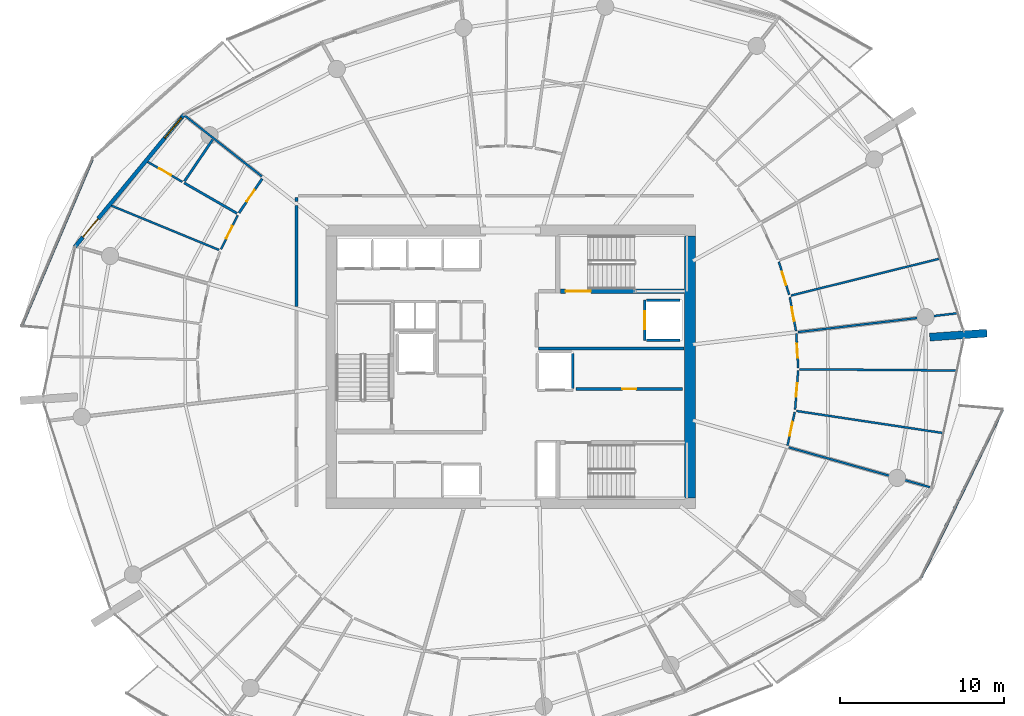
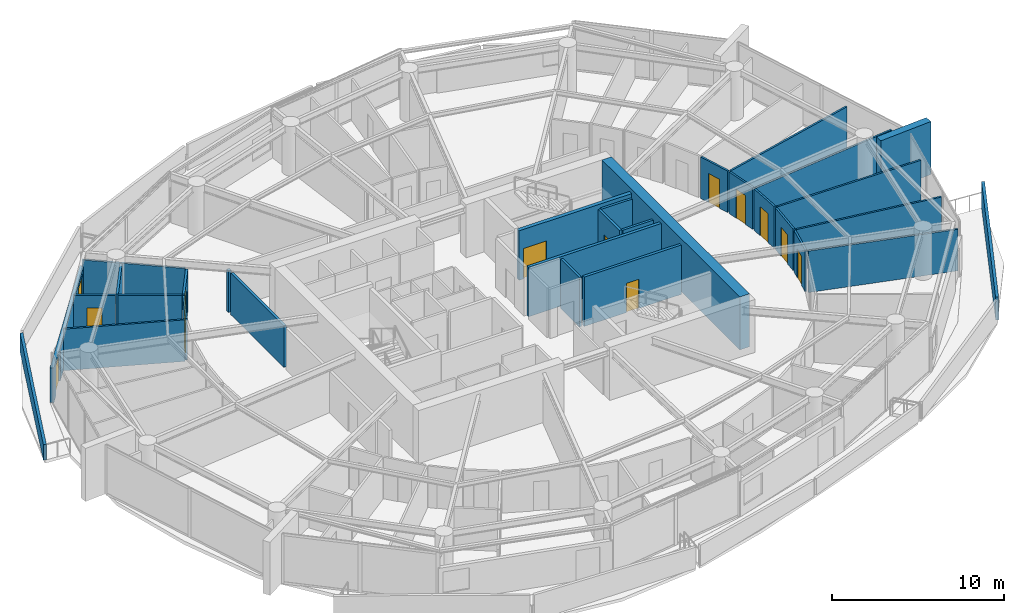
# One storey, part 14 of 21: 31 walls, 12 doors, 1 window, 13 openings.
"""IFC4 building model written with IfcOpenShell, lengths in metres."""

from ifc_helpers import new_model, si_unit, direction, frame, frame_2d, origin, place, context, subcontext, project, spatial, polyline, rectangle, outline, extrude, material, layer, layer_set, type_object, element, fill, save


model = new_model("IFC4")

# Units and contexts
model_context = context("Model", 3, precision=1e-05, world=origin(), true_north=direction((0.0, 1.0)))
body_context = subcontext(model_context, "Body", "Model", "MODEL_VIEW")
ifc_project = project(units=[si_unit("LENGTHUNIT", "METRE"), si_unit("AREAUNIT", "SQUARE_METRE"), si_unit("VOLUMEUNIT", "CUBIC_METRE"), si_unit("PLANEANGLEUNIT", "RADIAN"), si_unit("MASSUNIT", "GRAM", prefix="KILO")], contexts=[model_context])

# Site, building, storey
site_placement = place(None, origin())
site = spatial("IfcSite", under=ifc_project, at=site_placement, CompositionType="ELEMENT")
building_placement = place(site_placement, origin())
building = spatial("IfcBuilding", under=site, at=building_placement, Name="Kazma Halo Residences", CompositionType="ELEMENT")
storey_placement = place(building_placement, frame((0.0, 0.0, 180.300048828125)))
storey = spatial("IfcBuildingStorey", under=building, at=storey_placement, Name="L45", CompositionType="ELEMENT", Elevation=180.300048828125)

# Walls
ifc_material_1 = material(Name="White Concrete C50/60 Balustrade", Category="concrete")
ifc_layer_1 = layer(ifc_material_1, 0.179931640625)
ifc_layer_set_1 = layer_set([ifc_layer_1], Name="White Concrete C50/60 Balustrade")
wall_type_1 = type_object("IfcWallType", Name="WL-BAL-WAVE-180", PredefinedType="PARAPET", material=ifc_layer_set_1)
wall_1_placement = place(storey_placement, frame((22.879150390625, 54.665283203125, 0.0), z_axis=(0.0, 0.0, 1.0), x_axis=(-0.390001304333, -0.920814304091, 0.0)))
element("IfcWall", 1, at=wall_1_placement, inside=storey, type_object=wall_type_1, Name="L45 white wave balustrade wall NW.2", PredefinedType="PARAPET", context=body_context, shape_type="SweptSolid", body=[
    extrude(outline(polyline([(0.0, 0.0), (11.042724609375, 0.0), (11.04296875, 1.119873046875), (5.521484375, 1.181884765625), (0.0, 1.347900390625), (0.0, 0.0)])), frame((0.0, 0.08984375, 0.0), z_axis=(0.0, -1.0, 0.0), x_axis=(1.0, 0.0, 0.0)), (0.0, 0.0, 1.0), 0.179931640625),
])
wall_2_placement = place(storey_placement, frame((73.481201171875, 29.151611328125, 0.0), z_axis=(0.0, 0.0, 1.0), x_axis=(0.436714484075, 0.899600166407, 0.0)))
element("IfcWall", 2, at=wall_2_placement, inside=storey, type_object=wall_type_1, Name="L45 white wave balustrade wall SE.2", PredefinedType="PARAPET", context=body_context, shape_type="SweptSolid", body=[
    extrude(outline(polyline([(0.0, 0.0), (11.408935546875, 0.0), (11.4091796875, 1.85986328125), (5.70458984375, 1.7978515625), (0.0, 1.6318359375), (0.0, 0.0)])), frame((0.0, 0.08984375, 0.0), z_axis=(0.0, -1.0, 0.0), x_axis=(1.0, 0.0, 0.0)), (0.0, 0.0, 1.0), 0.179931640625),
])
ifc_material_2 = material(Name="Pale Concrete C60/75", Category="concrete")
ifc_layer_2 = layer(ifc_material_2, 0.47998046875)
ifc_layer_set_2 = layer_set([ifc_layer_2], Name="Pale Concrete C60/75")
wall_type_2 = type_object("IfcWallType", Name="WL-BLADE-480", PredefinedType="SOLIDWALL", material=ifc_layer_set_2)
wall_3_placement = place(storey_placement, frame((74.0126953125, 43.819091796875, 0.0), z_axis=(0.0, 0.0, 1.0), x_axis=(0.997568676264, 0.069690287244, 0.0)))
element("IfcWall", 3, at=wall_3_placement, inside=storey, type_object=wall_type_2, Name="L45 pale concrete structural blade fin wall BW-04", PredefinedType="SOLIDWALL", context=body_context, shape_type="SweptSolid", body=[
    extrude(rectangle(XDim=3.499755859375, YDim=0.47998046875, at=frame_2d((1.75, 0.0))), origin(), (0.0, 0.0, 1.0), 3.75),
])
ifc_material_3 = material(Name="Concrete C60/75", Category="concrete")
ifc_layer_3 = layer(ifc_material_3, 0.64990234375)
ifc_layer_set_3 = layer_set([ifc_layer_3], Name="Concrete C60/75")
wall_type_3 = type_object("IfcWallType", Name="WL-CORE-650", PredefinedType="SHEAR", material=ifc_layer_set_3)
wall_4_placement = place(storey_placement, frame((59.375, 34.0, 0.0), z_axis=(0.0, 0.0, 1.0), x_axis=(0.0, 1.0, 0.0)))
element("IfcWall", 4, at=wall_4_placement, inside=storey, type_object=wall_type_3, Name="L45 central core shear wall E", PredefinedType="SHEAR", context=body_context, shape_type="SweptSolid", body=[
    extrude(rectangle(XDim=16.0, YDim=0.64990234375, at=frame_2d((8.0, 0.0))), origin(), (0.0, 0.0, 1.0), 3.75),
])
ifc_material_4 = material(Name="Acoustic Twin-Stud Gypsum")
ifc_layer_4 = layer(ifc_material_4, 0.179931640625)
ifc_layer_set_4 = layer_set([ifc_layer_4], Name="Acoustic Twin-Stud Gypsum")
wall_type_4 = type_object("IfcWallType", Name="WL-DEM-180", PredefinedType="PARTITIONING", material=ifc_layer_set_4)
wall_5_placement = place(storey_placement, frame((35.35009765625, 52.330078125, 0.0), z_axis=(0.0, 0.0, 1.0), x_axis=(0.0, -1.0, 0.0)))
element("IfcWall", 5, at=wall_5_placement, inside=storey, type_object=wall_type_4, Name="L45 Apartment 2 entrance corridor wall", PredefinedType="PARTITIONING", context=body_context, shape_type="SweptSolid", body=[
    extrude(rectangle(XDim=0.237548828125, YDim=0.179931640625, at=frame_2d((0.11865234375, 0.0))), origin(), (0.0, 0.0, 1.0), 2.93994140625),
])
wall_6_placement = place(storey_placement, frame((35.35009765625, 51.8525390625, 0.0), z_axis=(0.0, 0.0, 1.0), x_axis=(0.0, -1.0, 0.0)))
element("IfcWall", 6, at=wall_6_placement, inside=storey, type_object=wall_type_4, Name="L45 Apartment 2 inner wall 5", PredefinedType="PARTITIONING", context=body_context, shape_type="SweptSolid", body=[
    extrude(rectangle(XDim=6.164794921875, YDim=0.179931640625, at=frame_2d((3.08251953125, 0.0))), origin(), (0.0, 0.0, 1.0), 2.93994140625),
])

# Wall, openings, door, window
ifc_material_5 = material(Name="Insulated Pale-Metal Composite Wall")
ifc_layer_5 = layer(ifc_material_5, 0.239990234375)
ifc_layer_set_5 = layer_set([ifc_layer_5], Name="Insulated Pale-Metal Composite Wall")
wall_type_5 = type_object("IfcWallType", Name="WL-EXT-HOST-240", PredefinedType="SOLIDWALL", material=ifc_layer_set_5)
wall_7_placement = place(storey_placement, frame((28.514892578125, 57.42431640625, 0.0), z_axis=(0.0, 0.0, 1.0), x_axis=(-0.636759394418, -0.771062561418, 0.0)))
wall_7 = element("IfcWall", 7, at=wall_7_placement, inside=storey, type_object=wall_type_5, Name="L45 exterior terrace-access wall B06", PredefinedType="SOLIDWALL", context=body_context, shape_type="SweptSolid", body=[
    extrude(rectangle(XDim=10.494384765625, YDim=0.239990234375, at=frame_2d((5.2470703125, 0.0))), origin(), (0.0, 0.0, 1.0), 2.449951171875),
])
opening_1_placement = place(wall_7_placement, frame((8.2744140625, 0.0, 0.0)))
opening_1 = element("IfcOpeningElement", 8, at=opening_1_placement, cuts=wall_7, Name="Opening DTR-1600", PredefinedType="OPENING", context=body_context, shape_type="SweptSolid", body=[
    extrude(rectangle(XDim=1.449951171875, YDim=2.14990234375, at=frame_2d((0.72509765625, 1.074951171875))), frame((0.0, 0.1298828125, 0.0), z_axis=(0.0, -1.0, 0.0), x_axis=(1.0, 0.0, 0.0)), (0.0, 0.0, 1.0), 0.260009765625),
])
opening_2_placement = place(wall_7_placement, frame((0.280029296875, 0.0, 0.64990234375)))
opening_2 = element("IfcOpeningElement", 9, at=opening_2_placement, cuts=wall_7, Name="Opening W-1800", PredefinedType="OPENING", context=body_context, shape_type="SweptSolid", body=[
    extrude(rectangle(XDim=1.60009765625, YDim=1.5, at=frame_2d((0.800048828125, 0.75))), frame((0.0, 0.1298828125, 0.0), z_axis=(0.0, -1.0, 0.0), x_axis=(1.0, 0.0, 0.0)), (0.0, 0.0, 1.0), 0.260009765625),
])
ifc_material_6 = material(Name="Aluminium AW-6063 T6 Double-Glazed Terrace Door", Category="aluminium")
door_type_1 = type_object("IfcDoorType", Name="DR-EXT-TERR-1600", OperationType="NOTDEFINED", PredefinedType="DOOR", material=ifc_material_6)
door_1_placement = place(opening_1_placement, origin())
door_1 = element("IfcDoor", 10, at=door_1_placement, inside=storey, type_object=door_type_1, Name="L45 B06 balcony terrace door", OperationType="DOUBLE_DOOR_SLIDING", OverallHeight=2.14990234375, OverallWidth=1.449951171875, PredefinedType="DOOR", context=body_context, shape_type="SweptSolid", body=[
    extrude(rectangle(XDim=1.449951171875, YDim=2.14990234375, at=frame_2d((0.72509765625, 1.074951171875))), frame((0.0, 0.02490234375, 0.0), z_axis=(0.0, -1.0, 0.0), x_axis=(1.0, 0.0, 0.0)), (0.0, 0.0, 1.0), 0.050048828125),
])
fill(opening_1, door_1)
ifc_material_7 = material(Name="Clear Triple-Silver Low-E Glass in Aluminium AW-6063 T6 Frame", Category="aluminium")
window_type = type_object("IfcWindowType", Name="WIN-RES-1800", PartitioningType="DOUBLE_PANEL_VERTICAL", PredefinedType="WINDOW", material=ifc_material_7)
window_placement = place(opening_2_placement, origin())
window = element("IfcWindow", 11, at=window_placement, inside=storey, type_object=window_type, Name="L45 B06 apartment window", OverallHeight=1.5, OverallWidth=1.60009765625, PartitioningType="SINGLE_PANEL", PredefinedType="WINDOW", context=body_context, shape_type="SweptSolid", body=[
    extrude(rectangle(XDim=1.60009765625, YDim=1.5, at=frame_2d((0.800048828125, 0.75))), frame((0.0, 0.030029296875, 0.0), z_axis=(0.0, -1.0, 0.0), x_axis=(1.0, 0.0, 0.0)), (0.0, 0.0, 1.0), 0.06005859375),
])
fill(opening_2, window)

# Wall, opening, door
ifc_material_8 = material(Name="Fire-Rated Blockwork Masonry", Category="masonry")
ifc_layer_6 = layer(ifc_material_8, 0.199951171875)
ifc_layer_set_6 = layer_set([ifc_layer_6], Name="Fire-Rated Blockwork Masonry")
wall_type_6 = type_object("IfcWallType", Name="WL-FLB-200", PredefinedType="PARTITIONING", material=ifc_layer_set_6)
wall_8_placement = place(storey_placement, frame((56.6201171875, 46.080078125, 0.0), z_axis=(0.0, 0.0, 1.0), x_axis=(0.0, -1.0, 0.0)))
wall_8 = element("IfcWall", 12, at=wall_8_placement, inside=storey, type_object=wall_type_6, Name="L45 lift shaft FL-02 front wall", PredefinedType="PARTITIONING", context=body_context, shape_type="SweptSolid", body=[
    extrude(rectangle(XDim=2.4599609375, YDim=0.159912109375, at=frame_2d((1.22998046875, 0.0))), origin(), (0.0, 0.0, 1.0), 3.5),
])
opening_3_placement = place(wall_8_placement, frame((0.679931640625, 0.0, 0.0)))
opening_3 = element("IfcOpeningElement", 13, at=opening_3_placement, cuts=wall_8, Name="Opening LD-FL-02", PredefinedType="OPENING", context=body_context, shape_type="SweptSolid", body=[
    extrude(rectangle(XDim=1.10009765625, YDim=2.10009765625, at=frame_2d((0.550048828125, 1.050048828125))), frame((0.0, 0.08984375, 0.0), z_axis=(0.0, -1.0, 0.0), x_axis=(1.0, 0.0, 0.0)), (0.0, 0.0, 1.0), 0.179931640625),
])
ifc_material_9 = material(Name="Stainless Steel Fire-Rated", Category="steel")
door_type_2 = type_object("IfcDoorType", Name="DR-LIFT-SLD-1100", OperationType="DOUBLE_DOOR_SLIDING", PredefinedType="DOOR", material=ifc_material_9)
door_2_placement = place(opening_3_placement, origin())
door_2 = element("IfcDoor", 14, at=door_2_placement, inside=storey, type_object=door_type_2, Name="L45 lift FL-02 sliding landing door", OperationType="DOUBLE_DOOR_SLIDING", OverallHeight=2.10009765625, OverallWidth=1.10009765625, PredefinedType="DOOR", context=body_context, shape_type="SweptSolid", body=[
    extrude(rectangle(XDim=1.10009765625, YDim=2.10009765625, at=frame_2d((0.550048828125, 1.050048828125))), frame((0.0, 0.02490234375, 0.0), z_axis=(0.0, -1.0, 0.0), x_axis=(1.0, 0.0, 0.0)), (0.0, 0.0, 1.0), 0.050048828125),
])
fill(opening_3, door_2)

# Walls
for number, where, z_axis, x_axis, name in (
    (15, (56.719970703125, 46.080078125, 0.0), (0.0, 0.0, 1.0), (1.0, 0.0, 0.0), "L45 lift shaft FL-02 side wall N"),
    (16, (56.719970703125, 43.6201171875, 0.0), (0.0, 0.0, 1.0), (1.0, 0.0, 0.0), "L45 lift shaft FL-02 side wall S"),
):
    element("IfcWall", number, at=place(storey_placement, frame(where, z_axis=z_axis, x_axis=x_axis)), inside=storey, type_object=wall_type_6, Name=name, PredefinedType="PARTITIONING", context=body_context, shape_type="SweptSolid", body=[
        extrude(rectangle(XDim=2.06005859375, YDim=0.159912109375, at=frame_2d((1.030029296875, 0.0))), origin(), (0.0, 0.0, 1.0), 3.5),
    ])
wall_9_placement = place(storey_placement, frame((52.22998046875, 40.669921875, 0.0), z_axis=(0.0, 0.0, 1.0), x_axis=(0.0, 1.0, 0.0)))
element("IfcWall", 17, at=wall_9_placement, inside=storey, type_object=wall_type_6, Name="L45 lift shaft SV-01 side wall E", PredefinedType="PARTITIONING", context=body_context, shape_type="SweptSolid", body=[
    extrude(rectangle(XDim=2.16015625, YDim=0.159912109375, at=frame_2d((1.080078125, 0.0))), origin(), (0.0, 0.0, 1.0), 3.5),
])

# Wall, opening, door
wall_10_placement = place(storey_placement, frame((52.419921875, 40.64990234375, 0.0), z_axis=(0.0, 0.0, 1.0), x_axis=(1.0, 0.0, 0.0)))
wall_10 = element("IfcWall", 18, at=wall_10_placement, inside=storey, type_object=wall_type_6, Name="L45 core east reserve wall", PredefinedType="PARTITIONING", context=body_context, shape_type="SweptSolid", body=[
    extrude(rectangle(XDim=6.5, YDim=0.179931640625, at=frame_2d((3.25, 0.0))), origin(), (0.0, 0.0, 1.0), 3.5),
])
opening_4_placement = place(wall_10_placement, frame((2.824951171875, 0.0, 0.0)))
opening_4 = element("IfcOpeningElement", 19, at=opening_4_placement, cuts=wall_10, Name="Opening DS-850", PredefinedType="OPENING", context=body_context, shape_type="SweptSolid", body=[
    extrude(rectangle(XDim=0.85009765625, YDim=2.06005859375, at=frame_2d((0.425048828125, 1.030029296875))), frame((0.0, 0.099853515625, 0.0), z_axis=(0.0, -1.0, 0.0), x_axis=(1.0, 0.0, 0.0)), (0.0, 0.0, 1.0), 0.199951171875),
])
ifc_material_10 = material(Name="Painted Steel Access Leaf", Category="steel")
door_type_3 = type_object("IfcDoorType", Name="DR-SVC-850", OperationType="NOTDEFINED", PredefinedType="DOOR", material=ifc_material_10)
door_3_placement = place(opening_4_placement, origin())
door_3 = element("IfcDoor", 20, at=door_3_placement, inside=storey, type_object=door_type_3, Name="L45 core east reserve door", OperationType="SINGLE_SWING_RIGHT", OverallHeight=2.06005859375, OverallWidth=0.85009765625, PredefinedType="DOOR", context=body_context, shape_type="SweptSolid", body=[
    extrude(rectangle(XDim=0.85009765625, YDim=2.06005859375, at=frame_2d((0.425048828125, 1.030029296875))), frame((0.0, 0.02490234375, 0.0), z_axis=(0.0, -1.0, 0.0), x_axis=(1.0, 0.0, 0.0)), (0.0, 0.0, 1.0), 0.050048828125),
])
fill(opening_4, door_3)

# Walls
wall_11_placement = place(storey_placement, frame((50.1201171875, 43.1201171875, 0.0), z_axis=(0.0, 0.0, 1.0), x_axis=(1.0, 0.0, 0.0)))
element("IfcWall", 21, at=wall_11_placement, inside=storey, type_object=wall_type_6, Name="L45 east firefighting lobby south smoke wall", PredefinedType="PARTITIONING", context=body_context, shape_type="SweptSolid", body=[
    extrude(rectangle(XDim=8.8798828125, YDim=0.199951171875, at=frame_2d((4.43994140625, 0.0))), origin(), (0.0, 0.0, 1.0), 3.5),
])
ifc_material_11 = material(Name="Gypsum Plasterboard Partition")
ifc_layer_7 = layer(ifc_material_11, 0.125)
ifc_layer_set_7 = layer_set([ifc_layer_7], Name="Gypsum Plasterboard Partition")
wall_type_7 = type_object("IfcWallType", Name="WL-PART-125", PredefinedType="PARTITIONING", material=ifc_layer_set_7)
wall_12_placement = place(storey_placement, frame((33.24072265625, 53.63525390625, 0.0), z_axis=(0.0, 0.0, 1.0), x_axis=(-0.785321754625, 0.619087830371, 0.0)))
element("IfcWall", 22, at=wall_12_placement, inside=storey, type_object=wall_type_7, Name="L45 Apartment 2 radial partition 5", PredefinedType="PARTITIONING", context=body_context, shape_type="SweptSolid", body=[
    extrude(rectangle(XDim=6.033203125, YDim=0.125, at=frame_2d((3.0166015625, 0.0))), origin(), (0.0, 0.0, 1.0), 2.93994140625),
])

# Wall, opening, door
wall_13_placement = place(storey_placement, frame((28.387939453125, 53.299072265625, 0.0), z_axis=(0.0, 0.0, 1.0), x_axis=(-0.866470316497, 0.499228595565, 0.0)))
wall_13 = element("IfcWall", 23, at=wall_13_placement, inside=storey, type_object=wall_type_7, Name="L45 Apartment 2 Household Store Room partition wall", PredefinedType="PARTITIONING", context=body_context, shape_type="SweptSolid", body=[
    extrude(rectangle(XDim=2.439697265625, YDim=0.125, at=frame_2d((1.2197265625, 0.0))), origin(), (0.0, 0.0, 1.0), 2.93994140625),
])
opening_5_placement = place(wall_13_placement, frame((0.794921875, 0.0, 0.0)))
opening_5 = element("IfcOpeningElement", 24, at=opening_5_placement, cuts=wall_13, Name="Opening DB-900", PredefinedType="OPENING", context=body_context, shape_type="SweptSolid", body=[
    extrude(rectangle(XDim=0.85009765625, YDim=2.06005859375, at=frame_2d((0.425048828125, 1.030029296875))), frame((0.0, 0.072509765625, 0.0), z_axis=(0.0, -1.0, 0.0), x_axis=(1.0, 0.0, 0.0)), (0.0, 0.0, 1.0), 0.14501953125),
])
ifc_material_12 = material(Name="Moisture-Sealed Timber Leaf", Category="wood")
door_type_4 = type_object("IfcDoorType", Name="DR-BTH-900", OperationType="NOTDEFINED", PredefinedType="DOOR", material=ifc_material_12)
door_4_placement = place(opening_5_placement, origin())
door_4 = element("IfcDoor", 25, at=door_4_placement, inside=storey, type_object=door_type_4, Name="L45 Apartment 2 Household Store Room door", OperationType="SINGLE_SWING_RIGHT", OverallHeight=2.06005859375, OverallWidth=0.85009765625, PredefinedType="DOOR", context=body_context, shape_type="SweptSolid", body=[
    extrude(rectangle(XDim=0.85009765625, YDim=2.06005859375, at=frame_2d((0.425048828125, 1.030029296875))), frame((0.0, 0.02490234375, 0.0), z_axis=(0.0, -1.0, 0.0), x_axis=(1.0, 0.0, 0.0)), (0.0, 0.0, 1.0), 0.050048828125),
])
fill(opening_5, door_4)

# Wall
wall_14_placement = place(storey_placement, frame((30.62744140625, 49.143310546875, 0.0), z_axis=(0.0, 0.0, 1.0), x_axis=(-0.92485745631, 0.380313930205, 0.0)))
element("IfcWall", 26, at=wall_14_placement, inside=storey, type_object=wall_type_7, Name="L45 Apartment 2 suite divider 5", PredefinedType="PARTITIONING", context=body_context, shape_type="SweptSolid", body=[
    extrude(rectangle(XDim=7.099853515625, YDim=0.125, at=frame_2d((3.5498046875, 0.0))), origin(), (0.0, 0.0, 1.0), 2.93994140625),
])

# Wall, opening, door
wall_15_placement = place(storey_placement, frame((31.76220703125, 51.25146484375, 0.0), z_axis=(0.0, 0.0, 1.0), x_axis=(-0.440639073568, -0.897684358138, 0.0)))
wall_15 = element("IfcWall", 27, at=wall_15_placement, inside=storey, type_object=wall_type_7, Name="L45 Apartment 2 Gourmet Kitchen hall wall", PredefinedType="PARTITIONING", context=body_context, shape_type="SweptSolid", body=[
    extrude(rectangle(XDim=2.306640625, YDim=0.125, at=frame_2d((1.1533203125, 0.0))), origin(), (0.0, 0.0, 1.0), 2.93994140625),
])
opening_6_placement = place(wall_15_placement, frame((0.728271484375, 0.0, 0.0)))
opening_6 = element("IfcOpeningElement", 28, at=opening_6_placement, cuts=wall_15, Name="Opening DB-900", PredefinedType="OPENING", context=body_context, shape_type="SweptSolid", body=[
    extrude(rectangle(XDim=0.85009765625, YDim=2.06005859375, at=frame_2d((0.425048828125, 1.030029296875))), frame((0.0, 0.072509765625, 0.0), z_axis=(0.0, -1.0, 0.0), x_axis=(1.0, 0.0, 0.0)), (0.0, 0.0, 1.0), 0.14501953125),
])
door_5_placement = place(opening_6_placement, origin())
door_5 = element("IfcDoor", 29, at=door_5_placement, inside=storey, type_object=door_type_4, Name="L45 Apartment 2 Gourmet Kitchen door", OperationType="SINGLE_SWING_LEFT", OverallHeight=2.06005859375, OverallWidth=0.85009765625, PredefinedType="DOOR", context=body_context, shape_type="SweptSolid", body=[
    extrude(rectangle(XDim=0.85009765625, YDim=2.06005859375, at=frame_2d((0.425048828125, 1.030029296875))), frame((0.0, 0.02490234375, 0.0), z_axis=(0.0, -1.0, 0.0), x_axis=(1.0, 0.0, 0.0)), (0.0, 0.0, 1.0), 0.050048828125),
])
fill(opening_6, door_5)

# Walls
wall_16_placement = place(storey_placement, frame((65.407958984375, 37.090576171875, 0.0), z_axis=(0.0, 0.0, 1.0), x_axis=(0.962449675986, -0.271460165022, 0.0)))
element("IfcWall", 30, at=wall_16_placement, inside=storey, type_object=wall_type_7, Name="L45 Apartment 4 radial partition 14", PredefinedType="PARTITIONING", context=body_context, shape_type="SweptSolid", body=[
    extrude(rectangle(XDim=8.943359375, YDim=0.125, at=frame_2d((4.4716796875, 0.0))), origin(), (0.0, 0.0, 1.0), 2.93994140625),
])
wall_17_placement = place(storey_placement, frame((65.876220703125, 39.3125, 0.0), z_axis=(0.0, 0.0, 1.0), x_axis=(0.988883657875, -0.148691328556, 0.0)))
element("IfcWall", 31, at=wall_17_placement, inside=storey, type_object=wall_type_7, Name="L45 Apartment 4 bay wall 1 14", PredefinedType="PARTITIONING", context=body_context, shape_type="SweptSolid", body=[
    extrude(rectangle(XDim=9.05029296875, YDim=0.125, at=frame_2d((4.525146484375, 0.0))), origin(), (0.0, 0.0, 1.0), 2.93994140625),
])
wall_18_placement = place(storey_placement, frame((66.076416015625, 41.85791015625, 0.0), z_axis=(0.0, 0.0, 1.0), x_axis=(0.999969321656, -0.007832990961, 0.0)))
element("IfcWall", 32, at=wall_18_placement, inside=storey, type_object=wall_type_7, Name="L45 Apartment 4 bay wall 2 14", PredefinedType="PARTITIONING", context=body_context, shape_type="SweptSolid", body=[
    extrude(rectangle(XDim=9.568603515625, YDim=0.125, at=frame_2d((4.7841796875, 0.0))), origin(), (0.0, 0.0, 1.0), 2.93994140625),
])

# Wall, opening, door
wall_19_placement = place(storey_placement, frame((65.32861328125, 37.19580078125, 0.0), z_axis=(0.0, 0.0, 1.0), x_axis=(0.21043464324, 0.977607928019, 0.0)))
wall_19 = element("IfcWall", 33, at=wall_19_placement, inside=storey, type_object=wall_type_7, Name="L45 Apartment 4 Inner Bedroom hall wall", PredefinedType="PARTITIONING", context=body_context, shape_type="SweptSolid", body=[
    extrude(rectangle(XDim=2.0986328125, YDim=0.125, at=frame_2d((1.04931640625, 0.0))), origin(), (0.0, 0.0, 1.0), 2.93994140625),
])
opening_7_placement = place(wall_19_placement, frame((0.62451171875, 0.0, 0.0)))
opening_7 = element("IfcOpeningElement", 34, at=opening_7_placement, cuts=wall_19, Name="Opening DB-900", PredefinedType="OPENING", context=body_context, shape_type="SweptSolid", body=[
    extrude(rectangle(XDim=0.85009765625, YDim=2.06005859375, at=frame_2d((0.425048828125, 1.030029296875))), frame((0.0, 0.072509765625, 0.0), z_axis=(0.0, -1.0, 0.0), x_axis=(1.0, 0.0, 0.0)), (0.0, 0.0, 1.0), 0.14501953125),
])
door_6_placement = place(opening_7_placement, origin())
door_6 = element("IfcDoor", 35, at=door_6_placement, inside=storey, type_object=door_type_4, Name="L45 Apartment 4 Inner Bedroom door", OperationType="SINGLE_SWING_LEFT", OverallHeight=2.06005859375, OverallWidth=0.85009765625, PredefinedType="DOOR", context=body_context, shape_type="SweptSolid", body=[
    extrude(rectangle(XDim=0.85009765625, YDim=2.06005859375, at=frame_2d((0.425048828125, 1.030029296875))), frame((0.0, 0.02490234375, 0.0), z_axis=(0.0, -1.0, 0.0), x_axis=(1.0, 0.0, 0.0)), (0.0, 0.0, 1.0), 0.050048828125),
])
fill(opening_7, door_6)

wall_20_placement = place(storey_placement, frame((65.79345703125, 39.405517578125, 0.0), z_axis=(0.0, 0.0, 1.0), x_axis=(0.078351129542, 0.996925824974, 0.0)))
wall_20 = element("IfcWall", 36, at=wall_20_placement, inside=storey, type_object=wall_type_7, Name="L45 Apartment 4 Outer Study hall wall", PredefinedType="PARTITIONING", context=body_context, shape_type="SweptSolid", body=[
    extrude(rectangle(XDim=2.380615234375, YDim=0.125, at=frame_2d((1.1904296875, 0.0))), origin(), (0.0, 0.0, 1.0), 2.93994140625),
])
opening_8_placement = place(wall_20_placement, frame((0.765380859375, 0.0, 0.0)))
opening_8 = element("IfcOpeningElement", 37, at=opening_8_placement, cuts=wall_20, Name="Opening DB-900", PredefinedType="OPENING", context=body_context, shape_type="SweptSolid", body=[
    extrude(rectangle(XDim=0.85009765625, YDim=2.06005859375, at=frame_2d((0.425048828125, 1.030029296875))), frame((0.0, 0.072509765625, 0.0), z_axis=(0.0, -1.0, 0.0), x_axis=(1.0, 0.0, 0.0)), (0.0, 0.0, 1.0), 0.14501953125),
])
door_7_placement = place(opening_8_placement, origin())
door_7 = element("IfcDoor", 38, at=door_7_placement, inside=storey, type_object=door_type_4, Name="L45 Apartment 4 Outer Study door", OperationType="SINGLE_SWING_RIGHT", OverallHeight=2.06005859375, OverallWidth=0.85009765625, PredefinedType="DOOR", context=body_context, shape_type="SweptSolid", body=[
    extrude(rectangle(XDim=0.85009765625, YDim=2.06005859375, at=frame_2d((0.425048828125, 1.030029296875))), frame((0.0, 0.02490234375, 0.0), z_axis=(0.0, -1.0, 0.0), x_axis=(1.0, 0.0, 0.0)), (0.0, 0.0, 1.0), 0.050048828125),
])
fill(opening_8, door_7)

wall_21_placement = place(storey_placement, frame((65.98193359375, 41.938720703125, 0.0), z_axis=(0.0, 0.0, 1.0), x_axis=(-0.054909461876, 0.998491337467, 0.0)))
wall_21 = element("IfcWall", 39, at=wall_21_placement, inside=storey, type_object=wall_type_7, Name="L45 Apartment 4 Corner Bedroom hall wall", PredefinedType="PARTITIONING", context=body_context, shape_type="SweptSolid", body=[
    extrude(rectangle(XDim=2.0986328125, YDim=0.125, at=frame_2d((1.04931640625, 0.0))), origin(), (0.0, 0.0, 1.0), 2.93994140625),
])
opening_9_placement = place(wall_21_placement, frame((0.62451171875, 0.0, 0.0)))
opening_9 = element("IfcOpeningElement", 40, at=opening_9_placement, cuts=wall_21, Name="Opening DB-900", PredefinedType="OPENING", context=body_context, shape_type="SweptSolid", body=[
    extrude(rectangle(XDim=0.85009765625, YDim=2.06005859375, at=frame_2d((0.425048828125, 1.030029296875))), frame((0.0, 0.072509765625, 0.0), z_axis=(0.0, -1.0, 0.0), x_axis=(1.0, 0.0, 0.0)), (0.0, 0.0, 1.0), 0.14501953125),
])
door_8_placement = place(opening_9_placement, origin())
door_8 = element("IfcDoor", 41, at=door_8_placement, inside=storey, type_object=door_type_4, Name="L45 Apartment 4 Corner Bedroom door", OperationType="SINGLE_SWING_LEFT", OverallHeight=2.06005859375, OverallWidth=0.85009765625, PredefinedType="DOOR", context=body_context, shape_type="SweptSolid", body=[
    extrude(rectangle(XDim=0.85009765625, YDim=2.06005859375, at=frame_2d((0.425048828125, 1.030029296875))), frame((0.0, 0.02490234375, 0.0), z_axis=(0.0, -1.0, 0.0), x_axis=(1.0, 0.0, 0.0)), (0.0, 0.0, 1.0), 0.050048828125),
])
fill(opening_9, door_8)

# Walls
wall_22_placement = place(storey_placement, frame((65.961669921875, 44.1259765625, 0.0), z_axis=(0.0, 0.0, 1.0), x_axis=(0.993068465016, 0.117537329351, 0.0)))
element("IfcWall", 42, at=wall_22_placement, inside=storey, type_object=wall_type_7, Name="L45 Apartment 4 radial partition 15", PredefinedType="PARTITIONING", context=body_context, shape_type="SweptSolid", body=[
    extrude(rectangle(XDim=9.80810546875, YDim=0.125, at=frame_2d((4.904052734375, 0.0))), origin(), (0.0, 0.0, 1.0), 2.93994140625),
])
wall_23_placement = place(storey_placement, frame((65.543701171875, 46.35791015625, 0.0), z_axis=(0.0, 0.0, 1.0), x_axis=(0.97050693763, 0.241073192229, 0.0)))
element("IfcWall", 43, at=wall_23_placement, inside=storey, type_object=wall_type_7, Name="L45 Apartment 4 bay wall 1 15", PredefinedType="PARTITIONING", context=body_context, shape_type="SweptSolid", body=[
    extrude(rectangle(XDim=9.3505859375, YDim=0.125, at=frame_2d((4.67529296875, 0.0))), origin(), (0.0, 0.0, 1.0), 2.93994140625),
])

# Wall, opening, door
wall_24_placement = place(storey_placement, frame((65.847900390625, 44.19287109375, 0.0), z_axis=(0.0, 0.0, 1.0), x_axis=(-0.179601937348, 0.983739367973, 0.0)))
wall_24 = element("IfcWall", 44, at=wall_24_placement, inside=storey, type_object=wall_type_7, Name="L45 Apartment 4 Garden Bedroom hall wall", PredefinedType="PARTITIONING", context=body_context, shape_type="SweptSolid", body=[
    extrude(rectangle(XDim=2.098876953125, YDim=0.125, at=frame_2d((1.04931640625, 0.0))), origin(), (0.0, 0.0, 1.0), 2.93994140625),
])
opening_10_placement = place(wall_24_placement, frame((0.62451171875, 0.0, 0.0)))
opening_10 = element("IfcOpeningElement", 45, at=opening_10_placement, cuts=wall_24, Name="Opening DB-900", PredefinedType="OPENING", context=body_context, shape_type="SweptSolid", body=[
    extrude(rectangle(XDim=0.85009765625, YDim=2.06005859375, at=frame_2d((0.425048828125, 1.030029296875))), frame((0.0, 0.072509765625, 0.0), z_axis=(0.0, -1.0, 0.0), x_axis=(1.0, 0.0, 0.0)), (0.0, 0.0, 1.0), 0.14501953125),
])
door_9_placement = place(opening_10_placement, origin())
door_9 = element("IfcDoor", 46, at=door_9_placement, inside=storey, type_object=door_type_4, Name="L45 Apartment 4 Garden Bedroom door", OperationType="SINGLE_SWING_RIGHT", OverallHeight=2.06005859375, OverallWidth=0.85009765625, PredefinedType="DOOR", context=body_context, shape_type="SweptSolid", body=[
    extrude(rectangle(XDim=0.85009765625, YDim=2.06005859375, at=frame_2d((0.425048828125, 1.030029296875))), frame((0.0, 0.02490234375, 0.0), z_axis=(0.0, -1.0, 0.0), x_axis=(1.0, 0.0, 0.0)), (0.0, 0.0, 1.0), 0.050048828125),
])
fill(opening_10, door_9)

wall_25_placement = place(storey_placement, frame((65.432373046875, 46.41259765625, 0.0), z_axis=(0.0, 0.0, 1.0), x_axis=(-0.301532202781, 0.953455993052, 0.0)))
wall_25 = element("IfcWall", 47, at=wall_25_placement, inside=storey, type_object=wall_type_7, Name="L45 Apartment 4 Sky Laundry Room hall wall", PredefinedType="PARTITIONING", context=body_context, shape_type="SweptSolid", body=[
    extrude(rectangle(XDim=2.0986328125, YDim=0.125, at=frame_2d((1.04931640625, 0.0))), origin(), (0.0, 0.0, 1.0), 2.93994140625),
])
opening_11_placement = place(wall_25_placement, frame((0.62451171875, 0.0, 0.0)))
opening_11 = element("IfcOpeningElement", 48, at=opening_11_placement, cuts=wall_25, Name="Opening DB-900", PredefinedType="OPENING", context=body_context, shape_type="SweptSolid", body=[
    extrude(rectangle(XDim=0.85009765625, YDim=2.06005859375, at=frame_2d((0.425048828125, 1.030029296875))), frame((0.0, 0.072509765625, 0.0), z_axis=(0.0, -1.0, 0.0), x_axis=(1.0, 0.0, 0.0)), (0.0, 0.0, 1.0), 0.14501953125),
])
door_10_placement = place(opening_11_placement, origin())
door_10 = element("IfcDoor", 49, at=door_10_placement, inside=storey, type_object=door_type_4, Name="L45 Apartment 4 Sky Laundry Room door", OperationType="SINGLE_SWING_LEFT", OverallHeight=2.06005859375, OverallWidth=0.85009765625, PredefinedType="DOOR", context=body_context, shape_type="SweptSolid", body=[
    extrude(rectangle(XDim=0.85009765625, YDim=2.06005859375, at=frame_2d((0.425048828125, 1.030029296875))), frame((0.0, 0.02490234375, 0.0), z_axis=(0.0, -1.0, 0.0), x_axis=(1.0, 0.0, 0.0)), (0.0, 0.0, 1.0), 0.050048828125),
])
fill(opening_11, door_10)

ifc_material_13 = material(Name="Concrete C50/60", Category="concrete")
ifc_layer_8 = layer(ifc_material_13, 0.25)
ifc_layer_set_8 = layer_set([ifc_layer_8], Name="Concrete C50/60")
wall_type_8 = type_object("IfcWallType", Name="WL-SHF-250", PredefinedType="SOLIDWALL", material=ifc_layer_set_8)
wall_26_placement = place(storey_placement, frame((51.47998046875, 46.6201171875, 0.0), z_axis=(0.0, 0.0, 1.0), x_axis=(1.0, 0.0, 0.0)))
wall_26 = element("IfcWall", 50, at=wall_26_placement, inside=storey, type_object=wall_type_8, Name="L45 exit stair ST-02 enclosure wall", PredefinedType="SOLIDWALL", context=body_context, shape_type="SweptSolid", body=[
    extrude(rectangle(XDim=7.5400390625, YDim=0.25, at=frame_2d((3.77001953125, 0.0))), origin(), (0.0, 0.0, 1.0), 3.5),
])
opening_12_placement = place(wall_26_placement, frame((0.300048828125, 0.0, 0.0)))
opening_12 = element("IfcOpeningElement", 51, at=opening_12_placement, cuts=wall_26, Name="Opening D-ST2", PredefinedType="OPENING", context=body_context, shape_type="SweptSolid", body=[
    extrude(rectangle(XDim=1.550048828125, YDim=2.14990234375, at=frame_2d((0.77490234375, 1.074951171875))), frame((0.0, 0.135009765625, 0.0), z_axis=(0.0, -1.0, 0.0), x_axis=(1.0, 0.0, 0.0)), (0.0, 0.0, 1.0), 0.27001953125),
])
ifc_material_14 = material(Name="Fire-Rated Double Steel Leaf", Category="steel")
door_type_5 = type_object("IfcDoorType", Name="DR-FD90-1550", OperationType="NOTDEFINED", PredefinedType="DOOR", material=ifc_material_14)
door_11_placement = place(opening_12_placement, origin())
door_11 = element("IfcDoor", 52, at=door_11_placement, inside=storey, type_object=door_type_5, Name="L45 exit stair ST-02 fire door", OperationType="DOUBLE_DOOR_SINGLE_SWING", OverallHeight=2.14990234375, OverallWidth=1.550048828125, PredefinedType="DOOR", context=body_context, shape_type="SweptSolid", body=[
    extrude(rectangle(XDim=1.550048828125, YDim=2.14990234375, at=frame_2d((0.77490234375, 1.074951171875))), frame((0.0, 0.02490234375, 0.0), z_axis=(0.0, -1.0, 0.0), x_axis=(1.0, 0.0, 0.0)), (0.0, 0.0, 1.0), 0.050048828125),
])
fill(opening_12, door_11)

ifc_material_15 = material(Name="Moisture-Resistant Gypsum")
ifc_layer_9 = layer(ifc_material_15, 0.14990234375)
ifc_layer_set_9 = layer_set([ifc_layer_9], Name="Moisture-Resistant Gypsum")
wall_type_9 = type_object("IfcWallType", Name="WL-WET-150", PredefinedType="PARTITIONING", material=ifc_layer_set_9)
wall_27_placement = place(storey_placement, frame((33.26318359375, 53.490478515625, 0.0), z_axis=(0.0, 0.0, 1.0), x_axis=(-0.560597119889, -0.828088684364, 0.0)))
wall_27 = element("IfcWall", 53, at=wall_27_placement, inside=storey, type_object=wall_type_9, Name="L45 Apartment 2 Guest Bathroom hall wall", PredefinedType="PARTITIONING", context=body_context, shape_type="SweptSolid", body=[
    extrude(rectangle(XDim=2.516357421875, YDim=0.14990234375, at=frame_2d((1.25830078125, 0.0))), origin(), (0.0, 0.0, 1.0), 2.93994140625),
])
opening_13_placement = place(wall_27_placement, frame((0.833251953125, 0.0, 0.0)))
opening_13 = element("IfcOpeningElement", 54, at=opening_13_placement, cuts=wall_27, Name="Opening DB-900", PredefinedType="OPENING", context=body_context, shape_type="SweptSolid", body=[
    extrude(rectangle(XDim=0.85009765625, YDim=2.06005859375, at=frame_2d((0.425048828125, 1.030029296875))), frame((0.0, 0.0849609375, 0.0), z_axis=(0.0, -1.0, 0.0), x_axis=(1.0, 0.0, 0.0)), (0.0, 0.0, 1.0), 0.169921875),
])
door_12_placement = place(opening_13_placement, origin())
door_12 = element("IfcDoor", 55, at=door_12_placement, inside=storey, type_object=door_type_4, Name="L45 Apartment 2 Guest Bathroom door", OperationType="SINGLE_SWING_LEFT", OverallHeight=2.06005859375, OverallWidth=0.85009765625, PredefinedType="DOOR", context=body_context, shape_type="SweptSolid", body=[
    extrude(rectangle(XDim=0.85009765625, YDim=2.06005859375, at=frame_2d((0.425048828125, 1.030029296875))), frame((0.0, 0.02490234375, 0.0), z_axis=(0.0, -1.0, 0.0), x_axis=(1.0, 0.0, 0.0)), (0.0, 0.0, 1.0), 0.050048828125),
])
fill(opening_13, door_12)

# Walls
wall_28_placement = place(storey_placement, frame((30.23974609375, 55.8740234375, 0.0), z_axis=(0.0, 0.0, 1.0), x_axis=(-0.560588198731, -0.828094723714, 0.0)))
element("IfcWall", 56, at=wall_28_placement, inside=storey, type_object=wall_type_9, Name="L45 Apartment 2 Guest Bathroom back wall", PredefinedType="PARTITIONING", context=body_context, shape_type="SweptSolid", body=[
    extrude(rectangle(XDim=3.07373046875, YDim=0.14990234375, at=frame_2d((1.536865234375, 0.0))), origin(), (0.0, 0.0, 1.0), 2.93994140625),
])
wall_29_placement = place(storey_placement, frame((31.72412109375, 51.377197265625, 0.0), z_axis=(0.0, 0.0, 1.0), x_axis=(-0.866501175841, 0.499175031693, 0.0)))
element("IfcWall", 57, at=wall_29_placement, inside=storey, type_object=wall_type_9, Name="L45 Apartment 2 Guest Bathroom side wall", PredefinedType="PARTITIONING", context=body_context, shape_type="SweptSolid", body=[
    extrude(rectangle(XDim=3.719970703125, YDim=0.14990234375, at=frame_2d((1.85986328125, 0.0))), origin(), (0.0, 0.0, 1.0), 2.93994140625),
])

save(model, "model.ifc")
